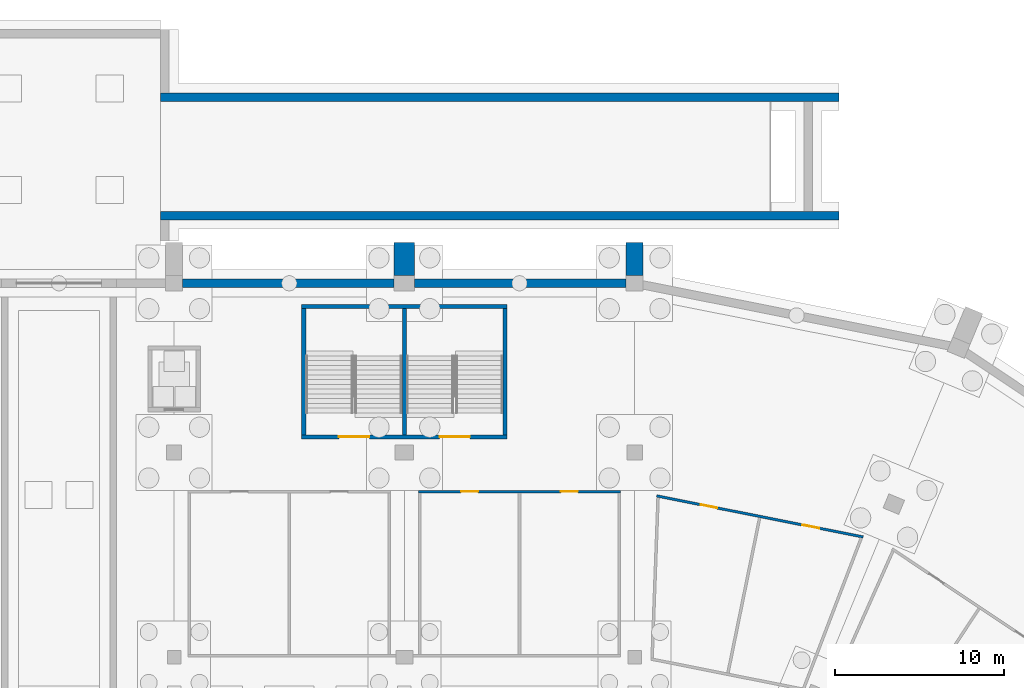
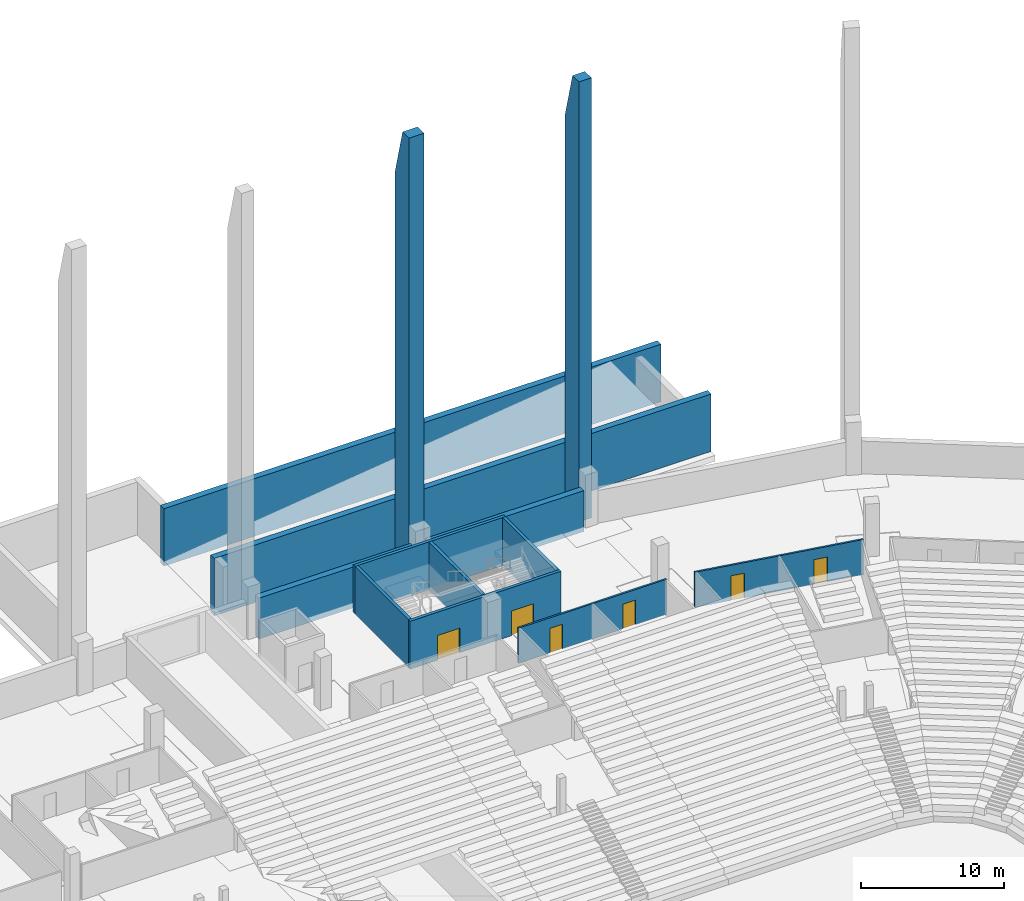
# One storey, part 37 of 115: 13 walls, 6 doors, 6 openings.
"""IFC4 building model written with IfcOpenShell, lengths in metres."""

from ifc_helpers import new_model, si_unit, direction, frame, frame_2d, origin, place, context, subcontext, project, spatial, polyline, rectangle, outline, extrude, material, layer, layer_set, type_object, element, fill, save


model = new_model("IFC4")

# Units and contexts
model_context = context("Model", 3, precision=1e-05, world=origin(), true_north=direction((0.0, 1.0)))
body_context = subcontext(model_context, "Body", "Model", "MODEL_VIEW")
ifc_project = project(units=[si_unit("LENGTHUNIT", "METRE"), si_unit("AREAUNIT", "SQUARE_METRE"), si_unit("VOLUMEUNIT", "CUBIC_METRE"), si_unit("PLANEANGLEUNIT", "RADIAN"), si_unit("MASSUNIT", "GRAM", prefix="KILO")], contexts=[model_context])

# Site, building, storey
site_placement = place(None, origin())
site = spatial("IfcSite", under=ifc_project, at=site_placement, CompositionType="ELEMENT")
building_placement = place(site_placement, origin())
building = spatial("IfcBuilding", under=site, at=building_placement, Name="Ogive Plaza Stadium", CompositionType="ELEMENT")
storey_placement = place(building_placement, frame((0.0, 0.0, -4.5)))
storey = spatial("IfcBuildingStorey", under=building, at=storey_placement, Name="B1", CompositionType="ELEMENT", Elevation=-4.5)

# Wall, openings, doors
ifc_material_1 = material(Name="Masonry blockwork", Category="masonry")
ifc_layer_1 = layer(ifc_material_1, 0.14990234375)
ifc_layer_set_1 = layer_set([ifc_layer_1], Name="Blockwork wall 150")
wall_type_1 = type_object("IfcWallType", Name="Blockwork wall 150", PredefinedType="SOLIDWALL", material=ifc_layer_set_1)
wall_1_placement = place(storey_placement, frame((21.22509765625, 90.199951171875, 0.0), z_axis=(0.0, 0.0, 1.0), x_axis=(1.0, 0.0, 0.0)))
wall_1 = element("IfcWall", 1, at=wall_1_placement, inside=storey, type_object=wall_type_1, Name="Wall B1 B36", PredefinedType="SOLIDWALL", context=body_context, shape_type="SweptSolid", body=[
    extrude(rectangle(XDim=11.949951171875, YDim=0.14990234375, at=frame_2d((5.97509765625, 0.0))), origin(), (0.0, 0.0, 1.0), 3.0),
])
opening_1_placement = place(wall_1_placement, frame((2.52490234375, 0.0, 0.0)))
opening_1 = element("IfcOpeningElement", 2, at=opening_1_placement, cuts=wall_1, Name="Opening D0365", PredefinedType="OPENING", context=body_context, shape_type="SweptSolid", body=[
    extrude(rectangle(XDim=1.0, YDim=2.10009765625, at=frame_2d((0.5, 1.050048828125))), frame((0.0, 0.074951171875, 0.0), z_axis=(0.0, -1.0, 0.0), x_axis=(1.0, 0.0, 0.0)), (0.0, 0.0, 1.0), 0.14990234375),
])
opening_2_placement = place(wall_1_placement, frame((8.425048828125, 0.0, 0.0)))
opening_2 = element("IfcOpeningElement", 3, at=opening_2_placement, cuts=wall_1, Name="Opening D0366", PredefinedType="OPENING", context=body_context, shape_type="SweptSolid", body=[
    extrude(rectangle(XDim=1.0, YDim=2.10009765625, at=frame_2d((0.5, 1.050048828125))), frame((0.0, 0.074951171875, 0.0), z_axis=(0.0, -1.0, 0.0), x_axis=(1.0, 0.0, 0.0)), (0.0, 0.0, 1.0), 0.14990234375),
])
ifc_material_2 = material(Name="Steel ASTM A572 Grade 50", Category="steel")
door_type_1 = type_object("IfcDoorType", Name="Fire door FD60 1000 x 2100", OperationType="SINGLE_SWING_LEFT", PredefinedType="DOOR", material=ifc_material_2)
door_1_placement = place(opening_2_placement, origin())
door_1 = element("IfcDoor", 4, at=door_1_placement, inside=storey, type_object=door_type_1, Name="Commissary Kitchen B36 door", OperationType="SINGLE_SWING_LEFT", OverallHeight=2.10009765625, OverallWidth=1.0, PredefinedType="DOOR", context=body_context, shape_type="SweptSolid", body=[
    extrude(rectangle(XDim=1.0, YDim=2.10009765625, at=frame_2d((0.5, 1.050048828125))), frame((0.0, 0.02490234375, 0.0), z_axis=(0.0, -1.0, 0.0), x_axis=(1.0, 0.0, 0.0)), (0.0, 0.0, 1.0), 0.050048828125),
])
fill(opening_2, door_1)
ifc_material_3 = material(Name="Steel ASTM A572 Grade 50", Category="steel")
door_type_2 = type_object("IfcDoorType", Name="Fire door FD90 1000 x 2100", OperationType="SINGLE_SWING_LEFT", PredefinedType="DOOR", material=ifc_material_3)
door_2_placement = place(opening_1_placement, origin())
door_2 = element("IfcDoor", 5, at=door_2_placement, inside=storey, type_object=door_type_2, Name="Air Handling Plant Room B36 door", OperationType="SINGLE_SWING_RIGHT", OverallHeight=2.10009765625, OverallWidth=1.0, PredefinedType="DOOR", context=body_context, shape_type="SweptSolid", body=[
    extrude(rectangle(XDim=1.0, YDim=2.10009765625, at=frame_2d((0.5, 1.050048828125))), frame((0.0, 0.02490234375, 0.0), z_axis=(0.0, -1.0, 0.0), x_axis=(1.0, 0.0, 0.0)), (0.0, 0.0, 1.0), 0.050048828125),
])
fill(opening_1, door_2)

wall_2_placement = place(storey_placement, frame((47.49853515625, 87.514892578125, 0.0), z_axis=(0.0, 0.0, 1.0), x_axis=(-0.980785525093, 0.195089091876, 0.0)))
wall_2 = element("IfcWall", 6, at=wall_2_placement, inside=storey, type_object=wall_type_1, Name="Wall B1 B37", PredefinedType="SOLIDWALL", context=body_context, shape_type="SweptSolid", body=[
    extrude(rectangle(XDim=12.435546875, YDim=0.14990234375, at=frame_2d((6.2177734375, 0.0))), origin(), (0.0, 0.0, 1.0), 3.0),
])
opening_3_placement = place(wall_2_placement, frame((2.65185546875, 0.0, 0.0)))
opening_3 = element("IfcOpeningElement", 7, at=opening_3_placement, cuts=wall_2, Name="Opening D0367", PredefinedType="OPENING", context=body_context, shape_type="SweptSolid", body=[
    extrude(rectangle(XDim=1.0, YDim=2.10009765625, at=frame_2d((0.5, 1.050048828125))), frame((0.0, 0.074951171875, 0.0), z_axis=(0.0, -1.0, 0.0), x_axis=(1.0, 0.0, 0.0)), (0.0, 0.0, 1.0), 0.14990234375),
])
opening_4_placement = place(wall_2_placement, frame((8.78369140625, 0.0, 0.0)))
opening_4 = element("IfcOpeningElement", 8, at=opening_4_placement, cuts=wall_2, Name="Opening D0368", PredefinedType="OPENING", context=body_context, shape_type="SweptSolid", body=[
    extrude(rectangle(XDim=1.0, YDim=2.10009765625, at=frame_2d((0.5, 1.050048828125))), frame((0.0, 0.074951171875, 0.0), z_axis=(0.0, -1.0, 0.0), x_axis=(1.0, 0.0, 0.0)), (0.0, 0.0, 1.0), 0.14990234375),
])
door_3_placement = place(opening_3_placement, origin())
door_3 = element("IfcDoor", 9, at=door_3_placement, inside=storey, type_object=door_type_1, Name="Commissary Kitchen B37 door", OperationType="SINGLE_SWING_RIGHT", OverallHeight=2.10009765625, OverallWidth=1.0, PredefinedType="DOOR", context=body_context, shape_type="SweptSolid", body=[
    extrude(rectangle(XDim=1.0, YDim=2.10009765625, at=frame_2d((0.5, 1.050048828125))), frame((0.0, 0.02490234375, 0.0), z_axis=(0.0, -1.0, 0.0), x_axis=(1.0, 0.0, 0.0)), (0.0, 0.0, 1.0), 0.050048828125),
])
fill(opening_3, door_3)
door_4_placement = place(opening_4_placement, origin())
door_4 = element("IfcDoor", 10, at=door_4_placement, inside=storey, type_object=door_type_1, Name="Refuse Store B37 door", OperationType="SINGLE_SWING_LEFT", OverallHeight=2.10009765625, OverallWidth=1.0, PredefinedType="DOOR", context=body_context, shape_type="SweptSolid", body=[
    extrude(rectangle(XDim=1.0, YDim=2.10009765625, at=frame_2d((0.5, 1.050048828125))), frame((0.0, 0.02490234375, 0.0), z_axis=(0.0, -1.0, 0.0), x_axis=(1.0, 0.0, 0.0)), (0.0, 0.0, 1.0), 0.050048828125),
])
fill(opening_4, door_4)

# Walls
ifc_material_4 = material(Name="Concrete C45/55 precast", Category="concrete")
ifc_layer_2 = layer(ifc_material_4, 0.949951171875)
ifc_material_5 = material(Name="Cast stone (reconstituted limestone)", Category="masonry")
ifc_layer_3 = layer(ifc_material_5, 0.050048828125)
ifc_layer_set_2 = layer_set([ifc_layer_2, ifc_layer_3], Name="Concrete C45/55 precast, cast stone facing")
wall_type_2 = type_object("IfcWallType", Name="Buttress pier 1000", PredefinedType="SOLIDWALL", material=ifc_layer_set_2)
wall_3_placement = place(storey_placement, frame((34.0, 102.949951171875, 0.0), z_axis=(0.0, 0.0, 1.0), x_axis=(0.0, 1.0, 0.0)))
element("IfcWall", 11, at=wall_3_placement, inside=storey, type_object=wall_type_2, Name="BUTTRESS PIER R37", PredefinedType="SOLIDWALL", context=body_context, shape_type="SweptSolid", body=[
    extrude(outline(polyline([(0.0, 0.0), (1.949951171875, 0.0), (1.949951171875, 33.5), (0.89990234375, 37.5), (0.0, 37.5), (0.0, 0.0)])), frame((0.0, 0.5, 0.0), z_axis=(0.0, -1.0, 0.0), x_axis=(1.0, 0.0, 0.0)), (0.0, 0.0, 1.0), 1.0),
])
ifc_material_6 = material(Name="Concrete C45/55 precast", Category="concrete")
ifc_layer_4 = layer(ifc_material_6, 1.14990234375)
ifc_material_7 = material(Name="Cast stone (reconstituted limestone)", Category="masonry")
ifc_layer_5 = layer(ifc_material_7, 0.050048828125)
ifc_layer_set_3 = layer_set([ifc_layer_4, ifc_layer_5], Name="Concrete C45/55 precast, cast stone facing")
wall_type_3 = type_object("IfcWallType", Name="Buttress pier 1200", PredefinedType="SOLIDWALL", material=ifc_layer_set_3)
wall_4_placement = place(storey_placement, frame((20.39990234375, 102.949951171875, 0.0), z_axis=(0.0, 0.0, 1.0), x_axis=(0.0, 1.0, 0.0)))
element("IfcWall", 12, at=wall_4_placement, inside=storey, type_object=wall_type_3, Name="BUTTRESS PIER R36", PredefinedType="SOLIDWALL", context=body_context, shape_type="SweptSolid", body=[
    extrude(outline(polyline([(0.0, 0.0), (1.949951171875, 0.0), (1.949951171875, 33.5), (0.89990234375, 37.5), (0.0, 37.5), (0.0, 0.0)])), frame((0.0, 0.60009765625, 0.0), z_axis=(0.0, -1.0, 0.0), x_axis=(1.0, 0.0, 0.0)), (0.0, 0.0, 1.0), 1.199951171875),
])

# Wall, openings, doors
ifc_material_8 = material(Name="Concrete C40/50", Category="concrete")
ifc_layer_6 = layer(ifc_material_8, 0.25)
ifc_layer_set_4 = layer_set([ifc_layer_6], Name="Concrete C40/50")
wall_type_4 = type_object("IfcWallType", Name="Core wall 250", PredefinedType="SHEAR", material=ifc_layer_set_4)
wall_5_placement = place(storey_placement, frame((26.47509765625, 93.425048828125, 0.0), z_axis=(0.0, 0.0, 1.0), x_axis=(-1.0, 0.0, 0.0)))
wall_5 = element("IfcWall", 13, at=wall_5_placement, inside=storey, type_object=wall_type_4, Name="Stair core R36 inner wall", PredefinedType="SHEAR", context=body_context, shape_type="SweptSolid", body=[
    extrude(rectangle(XDim=12.150146484375, YDim=0.25, at=frame_2d((6.0751953125, 0.0))), origin(), (0.0, 0.0, 1.0), 4.090087890625),
])
opening_5_placement = place(wall_5_placement, frame((2.199951171875, 0.0, 0.0)))
opening_5 = element("IfcOpeningElement", 14, at=opening_5_placement, cuts=wall_5, Name="Opening D0259", PredefinedType="OPENING", context=body_context, shape_type="SweptSolid", body=[
    extrude(rectangle(XDim=1.800048828125, YDim=2.10009765625, at=frame_2d((0.89990234375, 1.050048828125))), frame((0.0, 0.125, 0.0), z_axis=(0.0, -1.0, 0.0), x_axis=(1.0, 0.0, 0.0)), (0.0, 0.0, 1.0), 0.25),
])
opening_6_placement = place(wall_5_placement, frame((8.14990234375, 0.0, 0.0)))
opening_6 = element("IfcOpeningElement", 15, at=opening_6_placement, cuts=wall_5, Name="Opening D0260", PredefinedType="OPENING", context=body_context, shape_type="SweptSolid", body=[
    extrude(rectangle(XDim=1.800048828125, YDim=2.10009765625, at=frame_2d((0.89990234375, 1.050048828125))), frame((0.0, 0.125, 0.0), z_axis=(0.0, -1.0, 0.0), x_axis=(1.0, 0.0, 0.0)), (0.0, 0.0, 1.0), 0.25),
])
ifc_material_9 = material(Name="Steel ASTM A572 Grade 50", Category="steel")
door_type_3 = type_object("IfcDoorType", Name="Fire door FD90 pair 1800 x 2100", OperationType="DOUBLE_DOOR_SINGLE_SWING", PredefinedType="DOOR", material=ifc_material_9)
door_5_placement = place(opening_5_placement, origin())
door_5 = element("IfcDoor", 16, at=door_5_placement, inside=storey, type_object=door_type_3, Name="Exit stair R36A door B1", OperationType="DOUBLE_DOOR_SINGLE_SWING", OverallHeight=2.10009765625, OverallWidth=1.800048828125, PredefinedType="DOOR", context=body_context, shape_type="SweptSolid", body=[
    extrude(rectangle(XDim=1.800048828125, YDim=2.10009765625, at=frame_2d((0.89990234375, 1.050048828125))), frame((0.0, 0.02490234375, 0.0), z_axis=(0.0, -1.0, 0.0), x_axis=(1.0, 0.0, 0.0)), (0.0, 0.0, 1.0), 0.050048828125),
])
fill(opening_5, door_5)
door_6_placement = place(opening_6_placement, origin())
door_6 = element("IfcDoor", 17, at=door_6_placement, inside=storey, type_object=door_type_3, Name="Exit stair R36B door B1", OperationType="DOUBLE_DOOR_SINGLE_SWING", OverallHeight=2.10009765625, OverallWidth=1.800048828125, PredefinedType="DOOR", context=body_context, shape_type="SweptSolid", body=[
    extrude(rectangle(XDim=1.800048828125, YDim=2.10009765625, at=frame_2d((0.89990234375, 1.050048828125))), frame((0.0, 0.02490234375, 0.0), z_axis=(0.0, -1.0, 0.0), x_axis=(1.0, 0.0, 0.0)), (0.0, 0.0, 1.0), 0.050048828125),
])
fill(opening_6, door_6)

# Walls
wall_6_placement = place(storey_placement, frame((26.47509765625, 101.135009765625, 0.0), z_axis=(0.0, 0.0, 1.0), x_axis=(-1.0, 0.0, 0.0)))
element("IfcWall", 18, at=wall_6_placement, inside=storey, type_object=wall_type_4, Name="Stair core R36 outer wall", PredefinedType="SHEAR", context=body_context, shape_type="SweptSolid", body=[
    extrude(rectangle(XDim=12.150146484375, YDim=0.25, at=frame_2d((6.0751953125, 0.0))), origin(), (0.0, 0.0, 1.0), 4.090087890625),
])
for number, where, z_axis, x_axis, name in (
    (19, (26.35009765625, 93.550048828125, 0.0), (0.0, 0.0, 1.0), (0.0, 1.0, 0.0), "Stair core R36 side wall"),
    (20, (14.449951171875, 93.550048828125, 0.0), (0.0, 0.0, 1.0), (0.0, 1.0, 0.0), "Stair core R36 side wall"),
    (21, (20.39990234375, 93.550048828125, 0.0), (0.0, 0.0, 1.0), (0.0, 1.0, 0.0), "Stair core R36 centre wall"),
):
    element("IfcWall", number, at=place(storey_placement, frame(where, z_axis=z_axis, x_axis=x_axis)), inside=storey, type_object=wall_type_4, Name=name, PredefinedType="SHEAR", context=body_context, shape_type="SweptSolid", body=[
        extrude(rectangle(XDim=7.4599609375, YDim=0.25, at=frame_2d((3.72998046875, 0.0))), origin(), (0.0, 0.0, 1.0), 4.090087890625),
    ])
ifc_material_10 = material(Name="Concrete C40/50", Category="concrete")
ifc_layer_7 = layer(ifc_material_10, 0.5)
ifc_layer_set_5 = layer_set([ifc_layer_7], Name="Concrete C40/50")
wall_type_5 = type_object("IfcWallType", Name="RC retaining wall 500", PredefinedType="SOLIDWALL", material=ifc_layer_set_5)
for number, where, z_axis, x_axis, name in (
    (22, (7.300048828125, 102.5, -0.39990234375), (0.0, 0.0, 1.0), (1.0, 0.0, 0.0), "Retaining wall B35"),
    (23, (21.0, 102.5, -0.39990234375), (0.0, 0.0, 1.0), (1.0, 0.0, 0.0), "Retaining wall B36"),
):
    element("IfcWall", number, at=place(storey_placement, frame(where, z_axis=z_axis, x_axis=x_axis)), inside=storey, type_object=wall_type_5, Name=name, PredefinedType="SOLIDWALL", context=body_context, shape_type="SweptSolid", body=[
        extrude(rectangle(XDim=12.5, YDim=0.5, at=frame_2d((6.25, 0.0))), origin(), (0.0, 0.0, 1.0), 3.489990234375),
    ])
ifc_material_11 = material(Name="Concrete C35/45", Category="concrete")
ifc_layer_8 = layer(ifc_material_11, 0.5)
ifc_layer_set_6 = layer_set([ifc_layer_8], Name="Concrete C35/45")
wall_type_6 = type_object("IfcWallType", Name="Retaining wall 500", PredefinedType="STANDARD", material=ifc_layer_set_6)
for number, where, z_axis, x_axis, name in (
    (24, (6.0, 106.5, -0.39990234375), (0.0, 0.0, 1.0), (1.0, 0.0, 0.0), "Retaining wall 5"),
    (25, (6.0, 113.5, -0.39990234375), (0.0, 0.0, 1.0), (1.0, 0.0, 0.0), "Retaining wall 6"),
):
    element("IfcWall", number, at=place(storey_placement, frame(where, z_axis=z_axis, x_axis=x_axis)), inside=storey, type_object=wall_type_6, Name=name, PredefinedType="STANDARD", context=body_context, shape_type="SweptSolid", body=[
        extrude(rectangle(XDim=40.06005859375, YDim=0.5, at=frame_2d((20.030029296875, 0.0))), origin(), (0.0, 0.0, 1.0), 4.89990234375),
    ])

save(model, "model.ifc")
